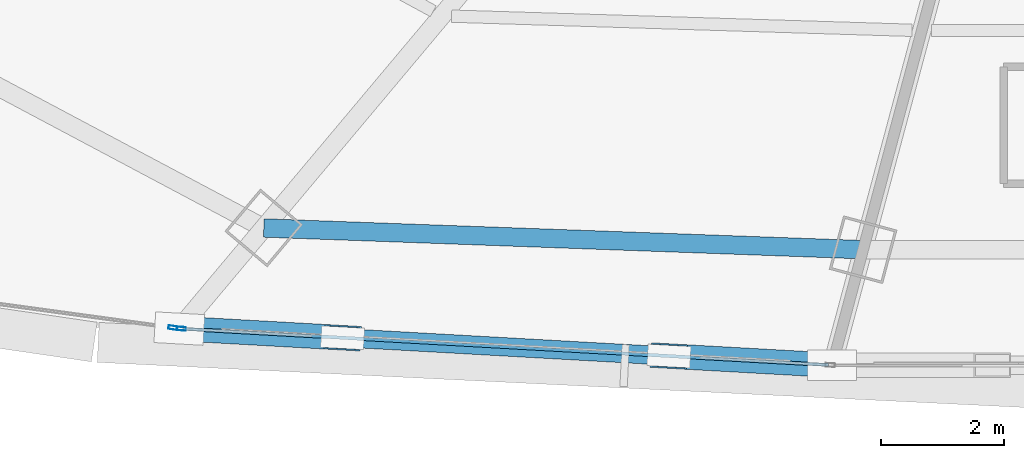
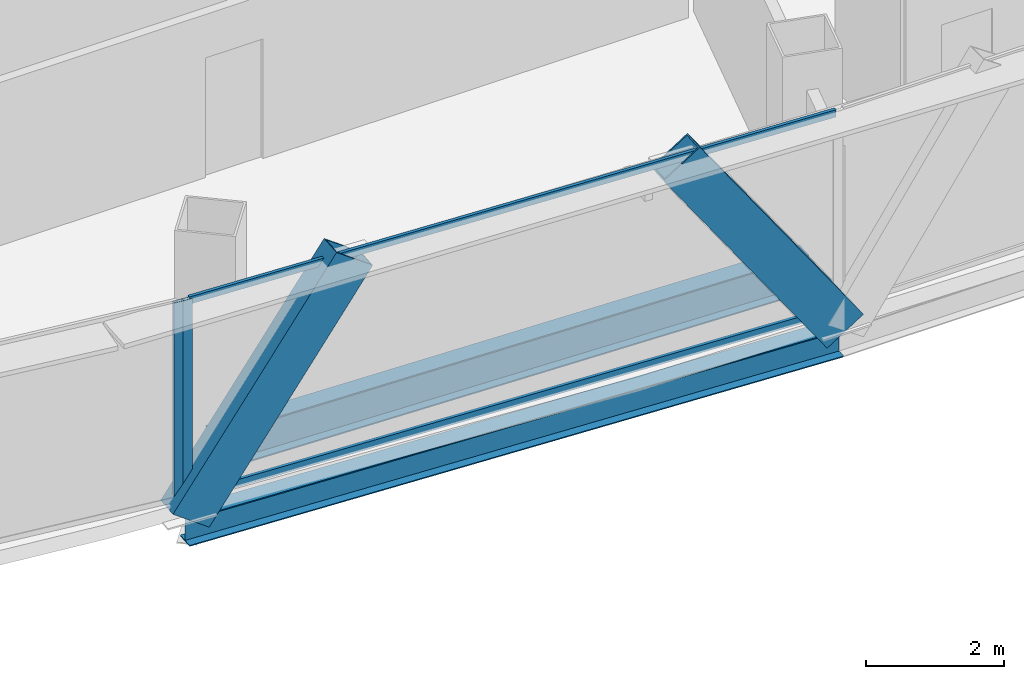
# One storey, part 6 of 37: 6 members, 2 beams, 2 elements without a shape of their own.
"""IFC4 building model written with IfcOpenShell, lengths in metres."""

from ifc_helpers import new_model, si_unit, direction, frame, origin, origin_2d, place, context, subcontext, project, spatial, hollow_rectangle, i_section, extrude, source, transform, mapped, material, layer, layer_set, material_profile, profile_set, type_object, element, aggregate, save


model = new_model("IFC4")

# Units and contexts
model_context = context("Model", 3, precision=1e-05, world=origin(), true_north=direction((0.0, 1.0)))
body_context = subcontext(model_context, "Body", "Model", "MODEL_VIEW")
ifc_project = project(units=[si_unit("LENGTHUNIT", "METRE"), si_unit("AREAUNIT", "SQUARE_METRE"), si_unit("VOLUMEUNIT", "CUBIC_METRE"), si_unit("PLANEANGLEUNIT", "RADIAN"), si_unit("MASSUNIT", "GRAM", prefix="KILO"), si_unit("THERMODYNAMICTEMPERATUREUNIT", "KELVIN"), si_unit("POWERUNIT", "WATT")], contexts=[model_context])

# Site, building, storey
site_placement = place(None, origin())
site = spatial("IfcSite", under=ifc_project, at=site_placement, CompositionType="ELEMENT")
building_placement = place(site_placement, origin())
building = spatial("IfcBuilding", under=site, at=building_placement, Name="Yunzhuo Pagoda Commons", CompositionType="ELEMENT")
storey_placement = place(building_placement, frame((0.0, 0.0, 192.360107421875)))
storey = spatial("IfcBuildingStorey", under=building, at=storey_placement, Name="L48", CompositionType="ELEMENT", Elevation=192.360107421875)

# Beams
ifc_material_1 = material(Name="Structural steel Q355B", Category="steel")
ifc_material_profile_1 = material_profile(ifc_material_1, i_section(OverallWidth=0.300048828125, OverallDepth=0.64990234375, WebThickness=0.012939453125, FlangeThickness=0.02197265625, at=origin_2d()), Name="Structural steel Q355B")
ifc_profile_set_1 = profile_set([ifc_material_profile_1], Name="Structural steel Q355B")
beam_type_1 = type_object("IfcBeamType", Name="B-RG2 Beam HN 650x300x13x22", PredefinedType="BEAM", material=ifc_profile_set_1)
shared_shape_1 = source(origin(), body_context, "Body", "SweptSolid", [
    extrude(i_section(OverallWidth=0.300048828125, OverallDepth=0.64990234375, WebThickness=0.012939453125, FlangeThickness=0.02197265625, at=origin_2d()), origin(), (0.0, 0.0, 1.0), 9.755126953125),
])
beam_1_placement = place(storey_placement, frame((33.538818359375, 16.4658203125, -0.585205078125), z_axis=(0.999343161351, -0.036238734258, 0.0), x_axis=(0.036238734258, 0.999343161351, 0.0)))
element("IfcBeam", 1, at=beam_1_placement, inside=storey, type_object=beam_type_1, Name="L48 column-ring beam 1", PredefinedType="BEAM", context=body_context, shape_type="MappedRepresentation", body=[
    mapped(shared_shape_1, transform((0.0, 0.0, 0.0), scale=1.0)),
])
ifc_material_profile_2 = material_profile(ifc_material_1, i_section(OverallWidth=0.300048828125, OverallDepth=0.488037109375, WebThickness=0.010986328125, FlangeThickness=0.01806640625, at=origin_2d()), Name="Structural steel Q355B")
ifc_profile_set_2 = profile_set([ifc_material_profile_2], Name="Structural steel Q355B")
beam_type_2 = type_object("IfcBeamType", Name="B-SP1 Beam HM 488x300x11x18", PredefinedType="BEAM", material=ifc_profile_set_2)
shared_shape_2 = source(origin(), body_context, "Body", "SweptSolid", [
    extrude(i_section(OverallWidth=0.300048828125, OverallDepth=0.488037109375, WebThickness=0.010986328125, FlangeThickness=0.01806640625, at=origin_2d()), origin(), (0.0, 0.0, 1.0), 10.635498046875),
])
beam_2_placement = place(storey_placement, frame((32.165283203125, 14.8291015625, -0.504150390625), z_axis=(0.998431472294, -0.055987455131, 0.0), x_axis=(0.055987455131, 0.998431472294, 0.0)))
element("IfcBeam", 2, at=beam_2_placement, inside=storey, type_object=beam_type_2, Name="L48 facade edge spandrel beam F1.1", PredefinedType="BEAM", context=body_context, shape_type="MappedRepresentation", body=[
    mapped(shared_shape_2, transform((0.0, 0.0, 0.0), scale=1.0)),
])

# Members
ifc_material_profile_3 = material_profile(ifc_material_1, hollow_rectangle(XDim=0.39990234375, YDim=0.719970703125, WallThickness=0.02392578125, at=origin_2d()), Name="Structural steel Q355B")
ifc_profile_set_3 = profile_set([ifc_material_profile_3], Name="Structural steel Q355B")
member_type_1 = type_object("IfcMemberType", Name="M-DL2 Brace BOX 720x400x24", PredefinedType="BRACE", material=ifc_profile_set_3)
shared_shape_3 = source(origin(), body_context, "Body", "SweptSolid", [
    extrude(hollow_rectangle(XDim=0.39990234375, YDim=0.719970703125, WallThickness=0.02392578125, at=origin_2d()), origin(), (0.0, 0.0, 1.0), 4.6376953125),
])
for number, where, z_axis, x_axis, name in (
    (3, (32.165283203125, 14.8291015625, -0.260009765625), (0.57243149893, -0.032111754124, 0.819323510147), (0.056009054545, 0.998430260864, 0.0), "L48 facade diamond brace F1.1L"),
    (4, (42.7841796875, 14.233642578125, -0.260009765625), (-0.572397071663, 0.032060132129, 0.819349583681), (-0.055922650457, -0.998435104133, 0.0), "L48 facade diamond brace F1.1R"),
):
    element("IfcMember", number, at=place(storey_placement, frame(where, z_axis=z_axis, x_axis=x_axis)), inside=storey, type_object=member_type_1, Name=name, PredefinedType="BRACE", context=body_context, shape_type="MappedRepresentation", body=[
        mapped(shared_shape_3, transform((0.0, 0.0, 0.0), scale=1.0)),
    ])

# Curtain wall, member
ifc_material_2 = material(Name="Anodized aluminium 6063-T6", Category="aluminium")
ifc_layer = layer(ifc_material_2, 0.14990234375)
ifc_layer_set = layer_set([ifc_layer], Name="Anodized aluminium 6063-T6")
curtain_wall_type = type_object("IfcCurtainWallType", Name="CW-MID Mid-Zone Ribbon Curtain Wall", PredefinedType="NOTDEFINED", material=ifc_layer_set)
curtain_wall_1_placement = place(storey_placement, origin())
curtain_wall_1 = element("IfcCurtainWall", 5, at=curtain_wall_1_placement, inside=storey, type_object=curtain_wall_type, Name="L48 curtain wall CW-L48-F1B2", PredefinedType="NOTDEFINED")
ifc_material_profile_4 = material_profile(ifc_material_2, hollow_rectangle(XDim=0.06005859375, YDim=0.14990234375, WallThickness=0.00390625, at=origin_2d()), Name="Anodized aluminium 6063-T6")
ifc_profile_set_4 = profile_set([ifc_material_profile_4], Name="Anodized aluminium 6063-T6")
member_type_2 = type_object("IfcMemberType", Name="CW-MID-M Mullion RHS 150x60x4", PredefinedType="MULLION", material=ifc_profile_set_4)
shared_shape_4 = source(origin(), body_context, "Body", "SweptSolid", [
    extrude(hollow_rectangle(XDim=0.06005859375, YDim=0.14990234375, WallThickness=0.00390625, at=origin_2d()), origin(), (0.0, 0.0, 1.0), 3.539794921875),
])
member_1_placement = place(storey_placement, frame((32.195556640625, 14.827392578125, 0.0), z_axis=(0.0, 0.0, 1.0), x_axis=(0.055982959182, 0.998431724396, 0.0)))
member_1 = element("IfcMember", 6, at=member_1_placement, type_object=member_type_2, Name="CW mullion 1", PredefinedType="MULLION", context=body_context, shape_type="MappedRepresentation", body=[
    mapped(shared_shape_4, transform((0.0, 0.0, 0.0), scale=1.0)),
])

curtain_wall_2_placement = place(storey_placement, origin())
curtain_wall_2 = element("IfcCurtainWall", 7, at=curtain_wall_2_placement, inside=storey, type_object=curtain_wall_type, Name="L48 curtain wall CW-L48-F1B1", PredefinedType="NOTDEFINED")
member_2_placement = place(storey_placement, frame((32.061279296875, 14.84326171875, 0.0), z_axis=(0.0, 0.0, 1.0), x_axis=(0.135312015534, 0.990803037163, 0.0)))
member_2 = element("IfcMember", 8, at=member_2_placement, type_object=member_type_2, Name="CW mullion 2", PredefinedType="MULLION", context=body_context, shape_type="MappedRepresentation", body=[
    mapped(shared_shape_4, transform((0.0, 0.0, 0.0), scale=1.0)),
])
aggregate(curtain_wall_2, [member_2])

# Member
ifc_material_profile_5 = material_profile(ifc_material_2, hollow_rectangle(XDim=0.054931640625, YDim=0.1298828125, WallThickness=0.00341796875, at=origin_2d()), Name="Anodized aluminium 6063-T6")
ifc_profile_set_5 = profile_set([ifc_material_profile_5], Name="Anodized aluminium 6063-T6")
member_type_3 = type_object("IfcMemberType", Name="CW-MID-T Transom RHS 130x55x3.5", PredefinedType="USERDEFINED", material=ifc_profile_set_5)
shared_shape_5 = source(origin(), body_context, "Body", "SweptSolid", [
    extrude(hollow_rectangle(XDim=0.054931640625, YDim=0.1298828125, WallThickness=0.00341796875, at=origin_2d()), origin(), (0.0, 0.0, 1.0), 10.515380859375),
])
member_3_placement = place(storey_placement, frame((32.22509765625, 14.82568359375, 0.02734375), z_axis=(0.998433375605, -0.055953502819, 0.0), x_axis=(0.055953502819, 0.998433375605, 0.0)))
member_3 = element("IfcMember", 9, at=member_3_placement, type_object=member_type_3, Name="CW transom 1.1", ObjectType="TRANSOM", PredefinedType="USERDEFINED", context=body_context, shape_type="MappedRepresentation", body=[
    mapped(shared_shape_5, transform((0.0, 0.0, 0.0), scale=1.0)),
])

member_4_placement = place(storey_placement, frame((32.22509765625, 14.82568359375, 3.512451171875), z_axis=(0.998433375605, -0.055953502819, 0.0), x_axis=(0.055953502819, 0.998433375605, 0.0)))
member_4 = element("IfcMember", 10, at=member_4_placement, type_object=member_type_3, Name="CW transom 1.2", ObjectType="TRANSOM", PredefinedType="USERDEFINED", context=body_context, shape_type="MappedRepresentation", body=[
    mapped(shared_shape_5, transform((0.0, 0.0, 0.0), scale=1.0)),
])

aggregate(curtain_wall_1, [member_1, member_3, member_4])

save(model, "model.ifc")
